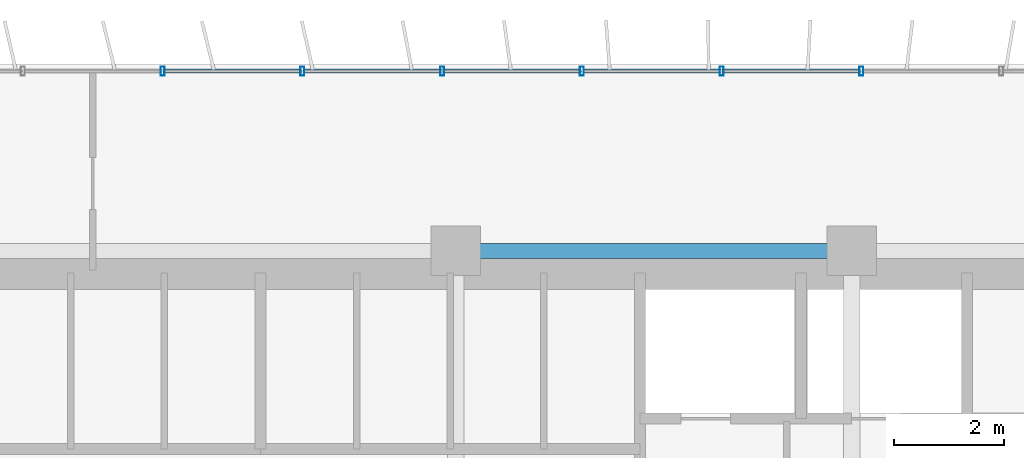
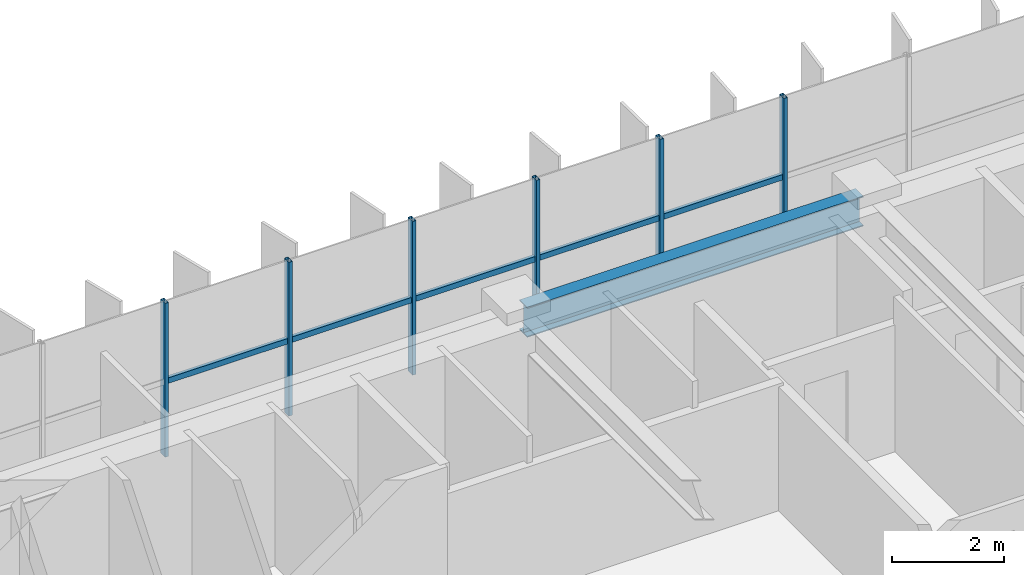
# One storey, part 10 of 22: 11 members, 1 beam, 1 element without a shape of its own.
"""IFC4 building model written with IfcOpenShell, lengths in metres."""

from ifc_helpers import new_model, si_unit, direction, frame, origin, origin_2d, place, context, subcontext, project, spatial, hollow_rectangle, i_section, extrude, source, transform, mapped, material, material_profile, profile_set, type_object, element, aggregate, save


model = new_model("IFC4")

# Units and contexts
model_context = context("Model", 3, precision=1e-05, world=origin(), true_north=direction((0.0, 1.0)))
body_context = subcontext(model_context, "Body", "Model", "MODEL_VIEW")
ifc_project = project(units=[si_unit("LENGTHUNIT", "METRE"), si_unit("AREAUNIT", "SQUARE_METRE"), si_unit("VOLUMEUNIT", "CUBIC_METRE"), si_unit("PLANEANGLEUNIT", "RADIAN"), si_unit("MASSUNIT", "GRAM", prefix="KILO")], contexts=[model_context])

# Site, building, storey
site_placement = place(None, origin())
site = spatial("IfcSite", under=ifc_project, at=site_placement, CompositionType="ELEMENT")
building_placement = place(site_placement, origin())
building = spatial("IfcBuilding", under=site, at=building_placement, Name="Trelvane Seafront Commons", CompositionType="ELEMENT")
storey_placement = place(building_placement, frame((0.0, 0.0, 45.10009765625)))
storey = spatial("IfcBuildingStorey", under=building, at=storey_placement, Name="L11", CompositionType="ELEMENT", Elevation=45.10009765625)

# Beam
ifc_material_1 = material(Name="Steel SM355 (S355)", Category="steel")
ifc_material_profile_1 = material_profile(ifc_material_1, i_section(OverallWidth=0.280029296875, OverallDepth=0.64990234375, WebThickness=0.012939453125, FlangeThickness=0.02197265625, at=origin_2d()), Name="H-650x280x13x22")
ifc_profile_set_1 = profile_set([ifc_material_profile_1], Name="Steel SM355 (S355)")
beam_type = type_object("IfcBeamType", Name="STR-BM-H650", PredefinedType="BEAM", material=ifc_profile_set_1)
shared_shape_1 = source(origin(), body_context, "Body", "SweptSolid", [
    extrude(i_section(OverallWidth=0.280029296875, OverallDepth=0.64990234375, WebThickness=0.012939453125, FlangeThickness=0.02197265625, at=origin_2d()), origin(), (0.0, 0.0, 1.0), 6.900146484375),
])
beam_placement = place(storey_placement, frame((43.949951171875, 45.10009765625, 3.014892578125), z_axis=(1.0, 0.0, 0.0), x_axis=(0.0, 1.0, 0.0)))
element("IfcBeam", 1, at=beam_placement, inside=storey, type_object=beam_type, Name="L11 Primary Girder G-33", PredefinedType="BEAM", context=body_context, shape_type="MappedRepresentation", body=[
    mapped(shared_shape_1, transform((0.0, 0.0, 0.0), x_axis=(1.0, 0.0, 0.0), y_axis=(0.0, 1.0, 0.0), z_axis=(0.0, 0.0, 1.0), scale=1.0)),
])

# Curtain wall, members
ifc_material_2 = material(Name="Anodised pale-silver aluminium", Category="aluminium")
curtain_wall_type = type_object("IfcCurtainWallType", Name="ARCH-CW2-LOWTOWER", PredefinedType="NOTDEFINED", material=ifc_material_2)
curtain_wall_placement = place(storey_placement, origin())
curtain_wall = element("IfcCurtainWall", 2, at=curtain_wall_placement, inside=storey, type_object=curtain_wall_type, Name="CW-L11-0035", PredefinedType="NOTDEFINED")
ifc_material_profile_2 = material_profile(ifc_material_2, hollow_rectangle(XDim=0.070068359375, YDim=0.1201171875, WallThickness=0.00390625, at=origin_2d()), Name="TRAN-70x120x4")
ifc_profile_set_2 = profile_set([ifc_material_profile_2], Name="Anodised pale-silver aluminium")
member_type_1 = type_object("IfcMemberType", Name="ARCH-CW-TRAN-120", PredefinedType="USERDEFINED", material=ifc_profile_set_2)
shared_shape_2 = source(origin(), body_context, "Body", "SweptSolid", [
    extrude(hollow_rectangle(XDim=0.070068359375, YDim=0.1201171875, WallThickness=0.00390625, at=origin_2d()), origin(), (0.0, 0.0, 1.0), 2.51708984375),
])
member_1_placement = place(storey_placement, frame((38.482666015625, 48.3701171875, 1.602783203125), z_axis=(1.0, 0.0, 0.0), x_axis=(0.0, 1.0, 0.0)))
member_1 = element("IfcMember", 3, at=member_1_placement, type_object=member_type_1, Name="CW-L11-0035-T09", ObjectType="TRANSOM", PredefinedType="USERDEFINED", context=body_context, shape_type="MappedRepresentation", body=[
    mapped(shared_shape_2, transform((0.0, 0.0, 0.0), x_axis=(1.0, 0.0, 0.0), y_axis=(0.0, 1.0, 0.0), z_axis=(0.0, 0.0, 1.0), scale=1.0)),
])
member_2_placement = place(storey_placement, frame((43.56494140625, 48.3701171875, 1.602783203125), z_axis=(1.0, 0.0, 0.0), x_axis=(0.0, 1.0, 0.0)))
member_2 = element("IfcMember", 4, at=member_2_placement, type_object=member_type_1, Name="CW-L11-0035-T11", ObjectType="TRANSOM", PredefinedType="USERDEFINED", context=body_context, shape_type="MappedRepresentation", body=[
    mapped(shared_shape_2, transform((0.0, 0.0, 0.0), x_axis=(1.0, 0.0, 0.0), y_axis=(0.0, 1.0, 0.0), z_axis=(0.0, 0.0, 1.0), scale=1.0)),
])
member_3_placement = place(storey_placement, frame((46.106201171875, 48.3701171875, 1.602783203125), z_axis=(1.0, 0.0, 0.0), x_axis=(0.0, 1.0, 0.0)))
member_3 = element("IfcMember", 5, at=member_3_placement, type_object=member_type_1, Name="CW-L11-0035-T12", ObjectType="TRANSOM", PredefinedType="USERDEFINED", context=body_context, shape_type="MappedRepresentation", body=[
    mapped(shared_shape_2, transform((0.0, 0.0, 0.0), x_axis=(1.0, 0.0, 0.0), y_axis=(0.0, 1.0, 0.0), z_axis=(0.0, 0.0, 1.0), scale=1.0)),
])
shared_shape_3 = source(origin(), body_context, "Body", "SweptSolid", [
    extrude(hollow_rectangle(XDim=0.070068359375, YDim=0.1201171875, WallThickness=0.00390625, at=origin_2d()), origin(), (0.0, 0.0, 1.0), 2.517333984375),
])
member_4_placement = place(storey_placement, frame((41.023681640625, 48.3701171875, 1.602783203125), z_axis=(1.0, 0.0, 0.0), x_axis=(0.0, 1.0, 0.0)))
member_4 = element("IfcMember", 6, at=member_4_placement, type_object=member_type_1, Name="CW-L11-0035-T10", ObjectType="TRANSOM", PredefinedType="USERDEFINED", context=body_context, shape_type="MappedRepresentation", body=[
    mapped(shared_shape_3, transform((0.0, 0.0, 0.0), x_axis=(1.0, 0.0, 0.0), y_axis=(0.0, 1.0, 0.0), z_axis=(0.0, 0.0, 1.0), scale=1.0)),
])
member_5_placement = place(storey_placement, frame((48.647216796875, 48.3701171875, 1.602783203125), z_axis=(1.0, 0.0, 0.0), x_axis=(0.0, 1.0, 0.0)))
member_5 = element("IfcMember", 7, at=member_5_placement, type_object=member_type_1, Name="CW-L11-0035-T13", ObjectType="TRANSOM", PredefinedType="USERDEFINED", context=body_context, shape_type="MappedRepresentation", body=[
    mapped(shared_shape_3, transform((0.0, 0.0, 0.0), x_axis=(1.0, 0.0, 0.0), y_axis=(0.0, 1.0, 0.0), z_axis=(0.0, 0.0, 1.0), scale=1.0)),
])
ifc_material_profile_3 = material_profile(ifc_material_2, hollow_rectangle(XDim=0.074951171875, YDim=0.159912109375, WallThickness=0.00390625, at=origin_2d()), Name="MULL-75x160x4")
ifc_profile_set_3 = profile_set([ifc_material_profile_3], Name="Anodised pale-silver aluminium")
member_type_2 = type_object("IfcMemberType", Name="ARCH-CW-MULL-160", PredefinedType="MULLION", material=ifc_profile_set_3)
shared_shape_4 = source(origin(), body_context, "Body", "SweptSolid", [
    extrude(hollow_rectangle(XDim=0.074951171875, YDim=0.159912109375, WallThickness=0.00390625, at=origin_2d()), origin(), (0.0, 0.0, 1.0), 3.33984375),
])
member_6_placement = place(storey_placement, frame((38.470703125, 48.3701171875, 0.0), z_axis=(0.0, 0.0, 1.0), x_axis=(1.0, 0.0, 0.0)))
member_6 = element("IfcMember", 8, at=member_6_placement, type_object=member_type_2, Name="CW-L11-0035-M09", PredefinedType="MULLION", context=body_context, shape_type="MappedRepresentation", body=[
    mapped(shared_shape_4, transform((0.0, 0.0, 0.0), x_axis=(1.0, 0.0, 0.0), y_axis=(0.0, 1.0, 0.0), z_axis=(0.0, 0.0, 1.0), scale=1.0)),
])
member_7_placement = place(storey_placement, frame((41.01171875, 48.3701171875, 0.0), z_axis=(0.0, 0.0, 1.0), x_axis=(1.0, 0.0, 0.0)))
member_7 = element("IfcMember", 9, at=member_7_placement, type_object=member_type_2, Name="CW-L11-0035-M10", PredefinedType="MULLION", context=body_context, shape_type="MappedRepresentation", body=[
    mapped(shared_shape_4, transform((0.0, 0.0, 0.0), x_axis=(1.0, 0.0, 0.0), y_axis=(0.0, 1.0, 0.0), z_axis=(0.0, 0.0, 1.0), scale=1.0)),
])
member_8_placement = place(storey_placement, frame((43.552978515625, 48.3701171875, 0.0), z_axis=(0.0, 0.0, 1.0), x_axis=(1.0, 0.0, 0.0)))
member_8 = element("IfcMember", 10, at=member_8_placement, type_object=member_type_2, Name="CW-L11-0035-M11", PredefinedType="MULLION", context=body_context, shape_type="MappedRepresentation", body=[
    mapped(shared_shape_4, transform((0.0, 0.0, 0.0), x_axis=(1.0, 0.0, 0.0), y_axis=(0.0, 1.0, 0.0), z_axis=(0.0, 0.0, 1.0), scale=1.0)),
])
member_9_placement = place(storey_placement, frame((46.093994140625, 48.3701171875, 0.0), z_axis=(0.0, 0.0, 1.0), x_axis=(1.0, 0.0, 0.0)))
member_9 = element("IfcMember", 11, at=member_9_placement, type_object=member_type_2, Name="CW-L11-0035-M12", PredefinedType="MULLION", context=body_context, shape_type="MappedRepresentation", body=[
    mapped(shared_shape_4, transform((0.0, 0.0, 0.0), x_axis=(1.0, 0.0, 0.0), y_axis=(0.0, 1.0, 0.0), z_axis=(0.0, 0.0, 1.0), scale=1.0)),
])
member_10_placement = place(storey_placement, frame((48.63525390625, 48.3701171875, 0.0), z_axis=(0.0, 0.0, 1.0), x_axis=(1.0, 0.0, 0.0)))
member_10 = element("IfcMember", 12, at=member_10_placement, type_object=member_type_2, Name="CW-L11-0035-M13", PredefinedType="MULLION", context=body_context, shape_type="MappedRepresentation", body=[
    mapped(shared_shape_4, transform((0.0, 0.0, 0.0), x_axis=(1.0, 0.0, 0.0), y_axis=(0.0, 1.0, 0.0), z_axis=(0.0, 0.0, 1.0), scale=1.0)),
])
member_11_placement = place(storey_placement, frame((51.176513671875, 48.3701171875, 0.0), z_axis=(0.0, 0.0, 1.0), x_axis=(1.0, 0.0, 0.0)))
member_11 = element("IfcMember", 13, at=member_11_placement, type_object=member_type_2, Name="CW-L11-0035-M14", PredefinedType="MULLION", context=body_context, shape_type="MappedRepresentation", body=[
    mapped(shared_shape_4, transform((0.0, 0.0, 0.0), x_axis=(1.0, 0.0, 0.0), y_axis=(0.0, 1.0, 0.0), z_axis=(0.0, 0.0, 1.0), scale=1.0)),
])
aggregate(curtain_wall, [member_6, member_7, member_8, member_9, member_10, member_11, member_1, member_4, member_2, member_3, member_5])

save(model, "model.ifc")
